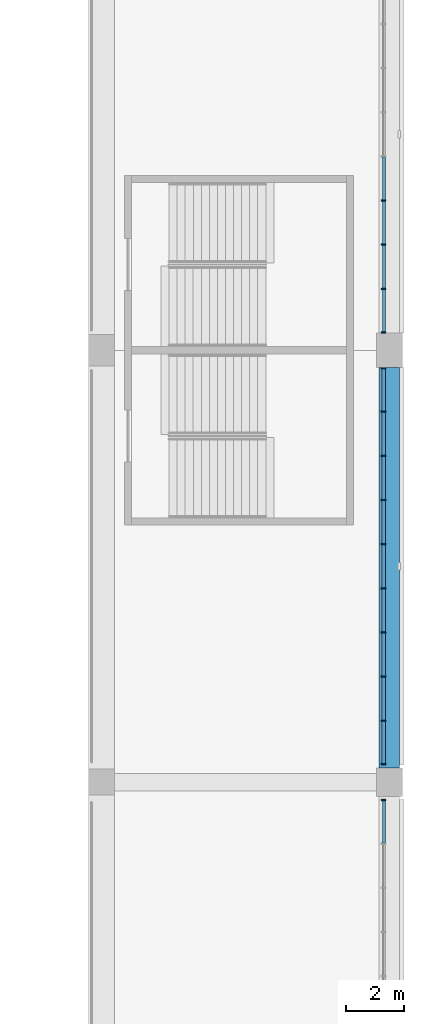
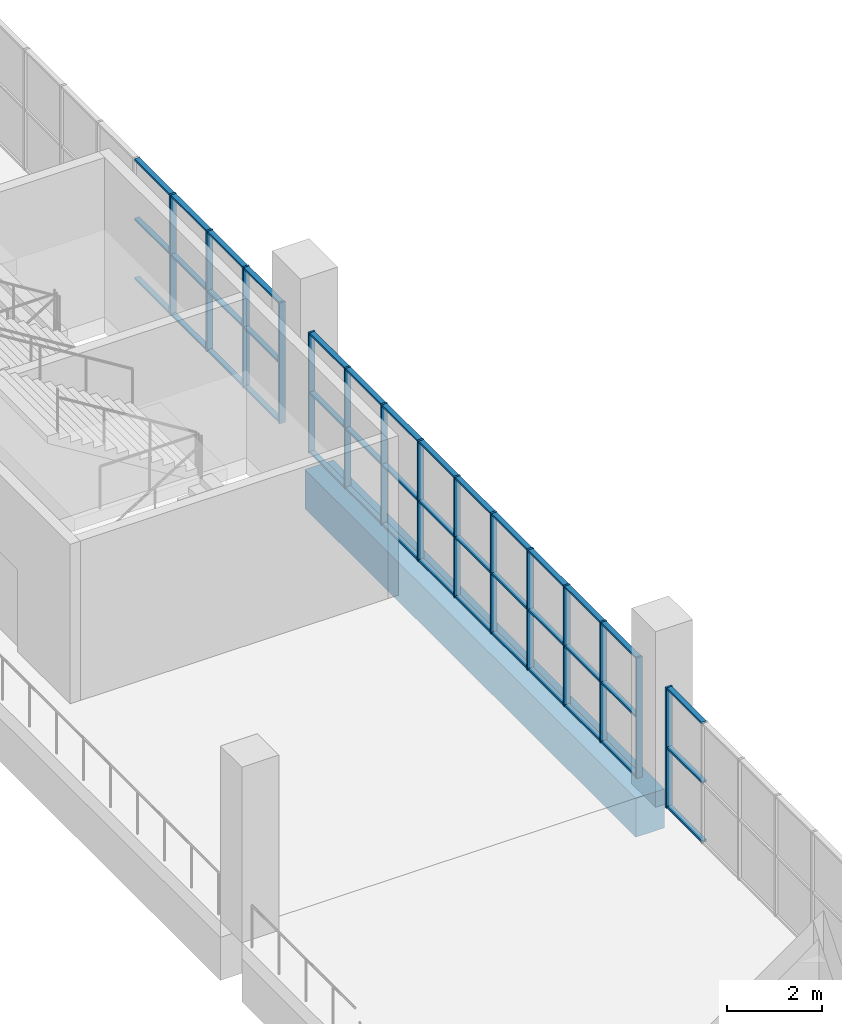
# One storey, part 23 of 177: 57 members, 1 beam, 3 elements without a shape of their own.
"""IFC4 building model written with IfcOpenShell, lengths in metres."""

from ifc_helpers import new_model, si_unit, direction, frame, origin, origin_2d, place, context, subcontext, project, spatial, rectangle, extrude, material, material_profile, profile_set, type_object, element, aggregate, save


model = new_model("IFC4")

# Units and contexts
model_context = context("Model", 3, precision=1e-05, world=origin(), true_north=direction((0.0, 1.0)))
body_context = subcontext(model_context, "Body", "Model", "MODEL_VIEW")
ifc_project = project(units=[si_unit("LENGTHUNIT", "METRE"), si_unit("AREAUNIT", "SQUARE_METRE"), si_unit("VOLUMEUNIT", "CUBIC_METRE"), si_unit("PLANEANGLEUNIT", "RADIAN"), si_unit("MASSUNIT", "GRAM", prefix="KILO")], contexts=[model_context])

# Site, building, storey
site_placement = place(None, origin())
site = spatial("IfcSite", under=ifc_project, at=site_placement, CompositionType="ELEMENT")
building_placement = place(site_placement, origin())
building = spatial("IfcBuilding", under=site, at=building_placement, Name="Ogive Plaza Stadium", CompositionType="ELEMENT")
storey_placement = place(building_placement, frame((0.0, 0.0, 18.0)))
storey = spatial("IfcBuildingStorey", under=building, at=storey_placement, Name="L04", CompositionType="ELEMENT", Elevation=18.0)

# Curtain wall, members
ifc_material_1 = material(Name="Bronze-anodised aluminium with laminated glass", Category="aluminium")
curtain_wall_type = type_object("IfcCurtainWallType", Name="Lancet curtain wall", PredefinedType="NOTDEFINED", material=ifc_material_1)
curtain_wall_1_placement = place(storey_placement, origin())
curtain_wall_1 = element("IfcCurtainWall", 1, at=curtain_wall_1_placement, inside=storey, type_object=curtain_wall_type, Name="CURTAIN WALL B05 L04", PredefinedType="NOTDEFINED")
ifc_material_2 = material(Name="Bronze-anodised aluminium", Category="aluminium")
ifc_material_profile_1 = material_profile(ifc_material_2, rectangle(XDim=0.14990234375, YDim=0.050048828125, at=origin_2d()), Name="AL 150x50")
ifc_profile_set_1 = profile_set([ifc_material_profile_1], Name="Bronze-anodised aluminium")
member_type_1 = type_object("IfcMemberType", Name="Curtain wall mullion 50x150", PredefinedType="MULLION", material=ifc_profile_set_1)
member_1_placement = place(storey_placement, frame((83.800048828125, -17.300048828125, 0.0), z_axis=(0.0, 0.0, 1.0), x_axis=(1.0, 0.0, 0.0)))
member_1 = element("IfcMember", 2, at=member_1_placement, type_object=member_type_1, Name="CW-B05-L04 mullion 7", PredefinedType="MULLION", context=body_context, shape_type="SweptSolid", body=[
    extrude(rectangle(XDim=0.14990234375, YDim=0.050048828125, at=origin_2d()), origin(), (0.0, 0.0, 1.0), 3.090087890625),
])
member_2_placement = place(storey_placement, frame((83.800048828125, -18.833251953125, 0.0), z_axis=(0.0, 0.0, 1.0), x_axis=(1.0, 0.0, 0.0)))
member_2 = element("IfcMember", 3, at=member_2_placement, type_object=member_type_1, Name="CW-B05-L04 mullion 8", PredefinedType="MULLION", context=body_context, shape_type="SweptSolid", body=[
    extrude(rectangle(XDim=0.14990234375, YDim=0.050048828125, at=origin_2d()), origin(), (0.0, 0.0, 1.0), 3.090087890625),
])
member_3_placement = place(storey_placement, frame((83.800048828125, -20.36669921875, 0.0), z_axis=(0.0, 0.0, 1.0), x_axis=(1.0, 0.0, 0.0)))
member_3 = element("IfcMember", 4, at=member_3_placement, type_object=member_type_1, Name="CW-B05-L04 mullion 9", PredefinedType="MULLION", context=body_context, shape_type="SweptSolid", body=[
    extrude(rectangle(XDim=0.14990234375, YDim=0.050048828125, at=origin_2d()), origin(), (0.0, 0.0, 1.0), 3.090087890625),
])
member_4_placement = place(storey_placement, frame((83.800048828125, -21.875, 0.0), z_axis=(0.0, 0.0, 1.0), x_axis=(1.0, 0.0, 0.0)))
member_4 = element("IfcMember", 5, at=member_4_placement, type_object=member_type_1, Name="CW-B05-L04 mullion 10", PredefinedType="MULLION", context=body_context, shape_type="SweptSolid", body=[
    extrude(rectangle(XDim=0.14990234375, YDim=0.050048828125, at=origin_2d()), origin(), (0.0, 0.0, 1.0), 3.090087890625),
])

curtain_wall_2_placement = place(storey_placement, origin())
curtain_wall_2 = element("IfcCurtainWall", 6, at=curtain_wall_2_placement, inside=storey, type_object=curtain_wall_type, Name="CURTAIN WALL B06 L04", PredefinedType="NOTDEFINED")
member_5_placement = place(storey_placement, frame((83.800048828125, -23.125, 0.0), z_axis=(0.0, 0.0, 1.0), x_axis=(1.0, 0.0, 0.0)))
member_5 = element("IfcMember", 7, at=member_5_placement, type_object=member_type_1, Name="CW-B06-L04 mullion 1", PredefinedType="MULLION", context=body_context, shape_type="SweptSolid", body=[
    extrude(rectangle(XDim=0.14990234375, YDim=0.050048828125, at=origin_2d()), origin(), (0.0, 0.0, 1.0), 3.090087890625),
])
member_6_placement = place(storey_placement, frame((83.800048828125, -24.63330078125, 0.0), z_axis=(0.0, 0.0, 1.0), x_axis=(1.0, 0.0, 0.0)))
member_6 = element("IfcMember", 8, at=member_6_placement, type_object=member_type_1, Name="CW-B06-L04 mullion 2", PredefinedType="MULLION", context=body_context, shape_type="SweptSolid", body=[
    extrude(rectangle(XDim=0.14990234375, YDim=0.050048828125, at=origin_2d()), origin(), (0.0, 0.0, 1.0), 3.090087890625),
])
member_7_placement = place(storey_placement, frame((83.800048828125, -26.166748046875, 0.0), z_axis=(0.0, 0.0, 1.0), x_axis=(1.0, 0.0, 0.0)))
member_7 = element("IfcMember", 9, at=member_7_placement, type_object=member_type_1, Name="CW-B06-L04 mullion 3", PredefinedType="MULLION", context=body_context, shape_type="SweptSolid", body=[
    extrude(rectangle(XDim=0.14990234375, YDim=0.050048828125, at=origin_2d()), origin(), (0.0, 0.0, 1.0), 3.090087890625),
])
member_8_placement = place(storey_placement, frame((83.800048828125, -27.699951171875, 0.0), z_axis=(0.0, 0.0, 1.0), x_axis=(1.0, 0.0, 0.0)))
member_8 = element("IfcMember", 10, at=member_8_placement, type_object=member_type_1, Name="CW-B06-L04 mullion 4", PredefinedType="MULLION", context=body_context, shape_type="SweptSolid", body=[
    extrude(rectangle(XDim=0.14990234375, YDim=0.050048828125, at=origin_2d()), origin(), (0.0, 0.0, 1.0), 3.090087890625),
])
member_9_placement = place(storey_placement, frame((83.800048828125, -29.2333984375, 0.0), z_axis=(0.0, 0.0, 1.0), x_axis=(1.0, 0.0, 0.0)))
member_9 = element("IfcMember", 11, at=member_9_placement, type_object=member_type_1, Name="CW-B06-L04 mullion 5", PredefinedType="MULLION", context=body_context, shape_type="SweptSolid", body=[
    extrude(rectangle(XDim=0.14990234375, YDim=0.050048828125, at=origin_2d()), origin(), (0.0, 0.0, 1.0), 3.090087890625),
])
member_10_placement = place(storey_placement, frame((83.800048828125, -30.7666015625, 0.0), z_axis=(0.0, 0.0, 1.0), x_axis=(1.0, 0.0, 0.0)))
member_10 = element("IfcMember", 12, at=member_10_placement, type_object=member_type_1, Name="CW-B06-L04 mullion 6", PredefinedType="MULLION", context=body_context, shape_type="SweptSolid", body=[
    extrude(rectangle(XDim=0.14990234375, YDim=0.050048828125, at=origin_2d()), origin(), (0.0, 0.0, 1.0), 3.090087890625),
])
member_11_placement = place(storey_placement, frame((83.800048828125, -32.300048828125, 0.0), z_axis=(0.0, 0.0, 1.0), x_axis=(1.0, 0.0, 0.0)))
member_11 = element("IfcMember", 13, at=member_11_placement, type_object=member_type_1, Name="CW-B06-L04 mullion 7", PredefinedType="MULLION", context=body_context, shape_type="SweptSolid", body=[
    extrude(rectangle(XDim=0.14990234375, YDim=0.050048828125, at=origin_2d()), origin(), (0.0, 0.0, 1.0), 3.090087890625),
])
member_12_placement = place(storey_placement, frame((83.800048828125, -33.833251953125, 0.0), z_axis=(0.0, 0.0, 1.0), x_axis=(1.0, 0.0, 0.0)))
member_12 = element("IfcMember", 14, at=member_12_placement, type_object=member_type_1, Name="CW-B06-L04 mullion 8", PredefinedType="MULLION", context=body_context, shape_type="SweptSolid", body=[
    extrude(rectangle(XDim=0.14990234375, YDim=0.050048828125, at=origin_2d()), origin(), (0.0, 0.0, 1.0), 3.090087890625),
])
member_13_placement = place(storey_placement, frame((83.800048828125, -35.36669921875, 0.0), z_axis=(0.0, 0.0, 1.0), x_axis=(1.0, 0.0, 0.0)))
member_13 = element("IfcMember", 15, at=member_13_placement, type_object=member_type_1, Name="CW-B06-L04 mullion 9", PredefinedType="MULLION", context=body_context, shape_type="SweptSolid", body=[
    extrude(rectangle(XDim=0.14990234375, YDim=0.050048828125, at=origin_2d()), origin(), (0.0, 0.0, 1.0), 3.090087890625),
])
member_14_placement = place(storey_placement, frame((83.800048828125, -36.875, 0.0), z_axis=(0.0, 0.0, 1.0), x_axis=(1.0, 0.0, 0.0)))
member_14 = element("IfcMember", 16, at=member_14_placement, type_object=member_type_1, Name="CW-B06-L04 mullion 10", PredefinedType="MULLION", context=body_context, shape_type="SweptSolid", body=[
    extrude(rectangle(XDim=0.14990234375, YDim=0.050048828125, at=origin_2d()), origin(), (0.0, 0.0, 1.0), 3.090087890625),
])

# Curtain wall, member
curtain_wall_3_placement = place(storey_placement, origin())
curtain_wall_3 = element("IfcCurtainWall", 17, at=curtain_wall_3_placement, inside=storey, type_object=curtain_wall_type, Name="CURTAIN WALL B07 L04", PredefinedType="NOTDEFINED")
member_15_placement = place(storey_placement, frame((83.800048828125, -38.125, 0.0), z_axis=(0.0, 0.0, 1.0), x_axis=(1.0, 0.0, 0.0)))
member_15 = element("IfcMember", 18, at=member_15_placement, type_object=member_type_1, Name="CW-B07-L04 mullion 1", PredefinedType="MULLION", context=body_context, shape_type="SweptSolid", body=[
    extrude(rectangle(XDim=0.14990234375, YDim=0.050048828125, at=origin_2d()), origin(), (0.0, 0.0, 1.0), 3.090087890625),
])

# Member
ifc_material_3 = material(Name="Bronze-anodised aluminium", Category="aluminium")
ifc_material_profile_2 = material_profile(ifc_material_3, rectangle(XDim=0.1201171875, YDim=0.050048828125, at=origin_2d()), Name="AL 120x50")
ifc_profile_set_2 = profile_set([ifc_material_profile_2], Name="Bronze-anodised aluminium")
member_type_2 = type_object("IfcMemberType", Name="Curtain wall transom 50x120", PredefinedType="USERDEFINED", material=ifc_profile_set_2)
member_16_placement = place(storey_placement, frame((83.800048828125, -15.791748046875, 0.02490234375), z_axis=(0.0, -1.0, 0.0), x_axis=(1.0, 0.0, 0.0)))
member_16 = element("IfcMember", 19, at=member_16_placement, type_object=member_type_2, Name="CW-B05-L04 transom 6.1", ObjectType="TRANSOM", PredefinedType="USERDEFINED", context=body_context, shape_type="SweptSolid", body=[
    extrude(rectangle(XDim=0.1201171875, YDim=0.050048828125, at=origin_2d()), origin(), (0.0, 0.0, 1.0), 1.483154296875),
])

member_17_placement = place(storey_placement, frame((83.800048828125, -15.791748046875, 1.544921875), z_axis=(0.0, -1.0, 0.0), x_axis=(1.0, 0.0, 0.0)))
member_17 = element("IfcMember", 20, at=member_17_placement, type_object=member_type_2, Name="CW-B05-L04 transom 6.2", ObjectType="TRANSOM", PredefinedType="USERDEFINED", context=body_context, shape_type="SweptSolid", body=[
    extrude(rectangle(XDim=0.1201171875, YDim=0.050048828125, at=origin_2d()), origin(), (0.0, 0.0, 1.0), 1.483154296875),
])

member_18_placement = place(storey_placement, frame((83.800048828125, -15.791748046875, 3.06494140625), z_axis=(0.0, -1.0, 0.0), x_axis=(1.0, 0.0, 0.0)))
member_18 = element("IfcMember", 21, at=member_18_placement, type_object=member_type_2, Name="CW-B05-L04 transom 6.3", ObjectType="TRANSOM", PredefinedType="USERDEFINED", context=body_context, shape_type="SweptSolid", body=[
    extrude(rectangle(XDim=0.1201171875, YDim=0.050048828125, at=origin_2d()), origin(), (0.0, 0.0, 1.0), 1.483154296875),
])

member_19_placement = place(storey_placement, frame((83.800048828125, -17.324951171875, 0.02490234375), z_axis=(0.0, -1.0, 0.0), x_axis=(1.0, 0.0, 0.0)))
member_19 = element("IfcMember", 22, at=member_19_placement, type_object=member_type_2, Name="CW-B05-L04 transom 7.1", ObjectType="TRANSOM", PredefinedType="USERDEFINED", context=body_context, shape_type="SweptSolid", body=[
    extrude(rectangle(XDim=0.1201171875, YDim=0.050048828125, at=origin_2d()), origin(), (0.0, 0.0, 1.0), 1.4833984375),
])

member_20_placement = place(storey_placement, frame((83.800048828125, -17.324951171875, 1.544921875), z_axis=(0.0, -1.0, 0.0), x_axis=(1.0, 0.0, 0.0)))
member_20 = element("IfcMember", 23, at=member_20_placement, type_object=member_type_2, Name="CW-B05-L04 transom 7.2", ObjectType="TRANSOM", PredefinedType="USERDEFINED", context=body_context, shape_type="SweptSolid", body=[
    extrude(rectangle(XDim=0.1201171875, YDim=0.050048828125, at=origin_2d()), origin(), (0.0, 0.0, 1.0), 1.4833984375),
])

member_21_placement = place(storey_placement, frame((83.800048828125, -17.324951171875, 3.06494140625), z_axis=(0.0, -1.0, 0.0), x_axis=(1.0, 0.0, 0.0)))
member_21 = element("IfcMember", 24, at=member_21_placement, type_object=member_type_2, Name="CW-B05-L04 transom 7.3", ObjectType="TRANSOM", PredefinedType="USERDEFINED", context=body_context, shape_type="SweptSolid", body=[
    extrude(rectangle(XDim=0.1201171875, YDim=0.050048828125, at=origin_2d()), origin(), (0.0, 0.0, 1.0), 1.4833984375),
])

member_22_placement = place(storey_placement, frame((83.800048828125, -18.8583984375, 0.02490234375), z_axis=(0.0, -1.0, 0.0), x_axis=(1.0, 0.0, 0.0)))
member_22 = element("IfcMember", 25, at=member_22_placement, type_object=member_type_2, Name="CW-B05-L04 transom 8.1", ObjectType="TRANSOM", PredefinedType="USERDEFINED", context=body_context, shape_type="SweptSolid", body=[
    extrude(rectangle(XDim=0.1201171875, YDim=0.050048828125, at=origin_2d()), origin(), (0.0, 0.0, 1.0), 1.483154296875),
])

member_23_placement = place(storey_placement, frame((83.800048828125, -18.8583984375, 1.544921875), z_axis=(0.0, -1.0, 0.0), x_axis=(1.0, 0.0, 0.0)))
member_23 = element("IfcMember", 26, at=member_23_placement, type_object=member_type_2, Name="CW-B05-L04 transom 8.2", ObjectType="TRANSOM", PredefinedType="USERDEFINED", context=body_context, shape_type="SweptSolid", body=[
    extrude(rectangle(XDim=0.1201171875, YDim=0.050048828125, at=origin_2d()), origin(), (0.0, 0.0, 1.0), 1.483154296875),
])

member_24_placement = place(storey_placement, frame((83.800048828125, -18.8583984375, 3.06494140625), z_axis=(0.0, -1.0, 0.0), x_axis=(1.0, 0.0, 0.0)))
member_24 = element("IfcMember", 27, at=member_24_placement, type_object=member_type_2, Name="CW-B05-L04 transom 8.3", ObjectType="TRANSOM", PredefinedType="USERDEFINED", context=body_context, shape_type="SweptSolid", body=[
    extrude(rectangle(XDim=0.1201171875, YDim=0.050048828125, at=origin_2d()), origin(), (0.0, 0.0, 1.0), 1.483154296875),
])

member_25_placement = place(storey_placement, frame((83.800048828125, -20.3916015625, 0.02490234375), z_axis=(0.0, -1.0, 0.0), x_axis=(1.0, 0.0, 0.0)))
member_25 = element("IfcMember", 28, at=member_25_placement, type_object=member_type_2, Name="CW-B05-L04 transom 9.1", ObjectType="TRANSOM", PredefinedType="USERDEFINED", context=body_context, shape_type="SweptSolid", body=[
    extrude(rectangle(XDim=0.1201171875, YDim=0.050048828125, at=origin_2d()), origin(), (0.0, 0.0, 1.0), 1.45849609375),
])

member_26_placement = place(storey_placement, frame((83.800048828125, -20.3916015625, 1.544921875), z_axis=(0.0, -1.0, 0.0), x_axis=(1.0, 0.0, 0.0)))
member_26 = element("IfcMember", 29, at=member_26_placement, type_object=member_type_2, Name="CW-B05-L04 transom 9.2", ObjectType="TRANSOM", PredefinedType="USERDEFINED", context=body_context, shape_type="SweptSolid", body=[
    extrude(rectangle(XDim=0.1201171875, YDim=0.050048828125, at=origin_2d()), origin(), (0.0, 0.0, 1.0), 1.45849609375),
])

member_27_placement = place(storey_placement, frame((83.800048828125, -20.3916015625, 3.06494140625), z_axis=(0.0, -1.0, 0.0), x_axis=(1.0, 0.0, 0.0)))
member_27 = element("IfcMember", 30, at=member_27_placement, type_object=member_type_2, Name="CW-B05-L04 transom 9.3", ObjectType="TRANSOM", PredefinedType="USERDEFINED", context=body_context, shape_type="SweptSolid", body=[
    extrude(rectangle(XDim=0.1201171875, YDim=0.050048828125, at=origin_2d()), origin(), (0.0, 0.0, 1.0), 1.45849609375),
])

aggregate(curtain_wall_1, [member_1, member_2, member_3, member_4, member_16, member_17, member_18, member_19, member_20, member_21, member_22, member_23, member_24, member_25, member_26, member_27])

member_28_placement = place(storey_placement, frame((83.800048828125, -23.14990234375, 0.02490234375), z_axis=(0.0, -1.0, 0.0), x_axis=(1.0, 0.0, 0.0)))
member_28 = element("IfcMember", 31, at=member_28_placement, type_object=member_type_2, Name="CW-B06-L04 transom 1.1", ObjectType="TRANSOM", PredefinedType="USERDEFINED", context=body_context, shape_type="SweptSolid", body=[
    extrude(rectangle(XDim=0.1201171875, YDim=0.050048828125, at=origin_2d()), origin(), (0.0, 0.0, 1.0), 1.45849609375),
])

member_29_placement = place(storey_placement, frame((83.800048828125, -23.14990234375, 1.544921875), z_axis=(0.0, -1.0, 0.0), x_axis=(1.0, 0.0, 0.0)))
member_29 = element("IfcMember", 32, at=member_29_placement, type_object=member_type_2, Name="CW-B06-L04 transom 1.2", ObjectType="TRANSOM", PredefinedType="USERDEFINED", context=body_context, shape_type="SweptSolid", body=[
    extrude(rectangle(XDim=0.1201171875, YDim=0.050048828125, at=origin_2d()), origin(), (0.0, 0.0, 1.0), 1.45849609375),
])

member_30_placement = place(storey_placement, frame((83.800048828125, -23.14990234375, 3.06494140625), z_axis=(0.0, -1.0, 0.0), x_axis=(1.0, 0.0, 0.0)))
member_30 = element("IfcMember", 33, at=member_30_placement, type_object=member_type_2, Name="CW-B06-L04 transom 1.3", ObjectType="TRANSOM", PredefinedType="USERDEFINED", context=body_context, shape_type="SweptSolid", body=[
    extrude(rectangle(XDim=0.1201171875, YDim=0.050048828125, at=origin_2d()), origin(), (0.0, 0.0, 1.0), 1.45849609375),
])

member_31_placement = place(storey_placement, frame((83.800048828125, -24.658447265625, 0.02490234375), z_axis=(0.0, -1.0, 0.0), x_axis=(1.0, 0.0, 0.0)))
member_31 = element("IfcMember", 34, at=member_31_placement, type_object=member_type_2, Name="CW-B06-L04 transom 2.1", ObjectType="TRANSOM", PredefinedType="USERDEFINED", context=body_context, shape_type="SweptSolid", body=[
    extrude(rectangle(XDim=0.1201171875, YDim=0.050048828125, at=origin_2d()), origin(), (0.0, 0.0, 1.0), 1.483154296875),
])

member_32_placement = place(storey_placement, frame((83.800048828125, -24.658447265625, 1.544921875), z_axis=(0.0, -1.0, 0.0), x_axis=(1.0, 0.0, 0.0)))
member_32 = element("IfcMember", 35, at=member_32_placement, type_object=member_type_2, Name="CW-B06-L04 transom 2.2", ObjectType="TRANSOM", PredefinedType="USERDEFINED", context=body_context, shape_type="SweptSolid", body=[
    extrude(rectangle(XDim=0.1201171875, YDim=0.050048828125, at=origin_2d()), origin(), (0.0, 0.0, 1.0), 1.483154296875),
])

member_33_placement = place(storey_placement, frame((83.800048828125, -24.658447265625, 3.06494140625), z_axis=(0.0, -1.0, 0.0), x_axis=(1.0, 0.0, 0.0)))
member_33 = element("IfcMember", 36, at=member_33_placement, type_object=member_type_2, Name="CW-B06-L04 transom 2.3", ObjectType="TRANSOM", PredefinedType="USERDEFINED", context=body_context, shape_type="SweptSolid", body=[
    extrude(rectangle(XDim=0.1201171875, YDim=0.050048828125, at=origin_2d()), origin(), (0.0, 0.0, 1.0), 1.483154296875),
])

member_34_placement = place(storey_placement, frame((83.800048828125, -26.191650390625, 0.02490234375), z_axis=(0.0, -1.0, 0.0), x_axis=(1.0, 0.0, 0.0)))
member_34 = element("IfcMember", 37, at=member_34_placement, type_object=member_type_2, Name="CW-B06-L04 transom 3.1", ObjectType="TRANSOM", PredefinedType="USERDEFINED", context=body_context, shape_type="SweptSolid", body=[
    extrude(rectangle(XDim=0.1201171875, YDim=0.050048828125, at=origin_2d()), origin(), (0.0, 0.0, 1.0), 1.4833984375),
])

member_35_placement = place(storey_placement, frame((83.800048828125, -26.191650390625, 1.544921875), z_axis=(0.0, -1.0, 0.0), x_axis=(1.0, 0.0, 0.0)))
member_35 = element("IfcMember", 38, at=member_35_placement, type_object=member_type_2, Name="CW-B06-L04 transom 3.2", ObjectType="TRANSOM", PredefinedType="USERDEFINED", context=body_context, shape_type="SweptSolid", body=[
    extrude(rectangle(XDim=0.1201171875, YDim=0.050048828125, at=origin_2d()), origin(), (0.0, 0.0, 1.0), 1.4833984375),
])

member_36_placement = place(storey_placement, frame((83.800048828125, -26.191650390625, 3.06494140625), z_axis=(0.0, -1.0, 0.0), x_axis=(1.0, 0.0, 0.0)))
member_36 = element("IfcMember", 39, at=member_36_placement, type_object=member_type_2, Name="CW-B06-L04 transom 3.3", ObjectType="TRANSOM", PredefinedType="USERDEFINED", context=body_context, shape_type="SweptSolid", body=[
    extrude(rectangle(XDim=0.1201171875, YDim=0.050048828125, at=origin_2d()), origin(), (0.0, 0.0, 1.0), 1.4833984375),
])

member_37_placement = place(storey_placement, frame((83.800048828125, -27.72509765625, 0.02490234375), z_axis=(0.0, -1.0, 0.0), x_axis=(1.0, 0.0, 0.0)))
member_37 = element("IfcMember", 40, at=member_37_placement, type_object=member_type_2, Name="CW-B06-L04 transom 4.1", ObjectType="TRANSOM", PredefinedType="USERDEFINED", context=body_context, shape_type="SweptSolid", body=[
    extrude(rectangle(XDim=0.1201171875, YDim=0.050048828125, at=origin_2d()), origin(), (0.0, 0.0, 1.0), 1.483154296875),
])

member_38_placement = place(storey_placement, frame((83.800048828125, -27.72509765625, 1.544921875), z_axis=(0.0, -1.0, 0.0), x_axis=(1.0, 0.0, 0.0)))
member_38 = element("IfcMember", 41, at=member_38_placement, type_object=member_type_2, Name="CW-B06-L04 transom 4.2", ObjectType="TRANSOM", PredefinedType="USERDEFINED", context=body_context, shape_type="SweptSolid", body=[
    extrude(rectangle(XDim=0.1201171875, YDim=0.050048828125, at=origin_2d()), origin(), (0.0, 0.0, 1.0), 1.483154296875),
])

member_39_placement = place(storey_placement, frame((83.800048828125, -27.72509765625, 3.06494140625), z_axis=(0.0, -1.0, 0.0), x_axis=(1.0, 0.0, 0.0)))
member_39 = element("IfcMember", 42, at=member_39_placement, type_object=member_type_2, Name="CW-B06-L04 transom 4.3", ObjectType="TRANSOM", PredefinedType="USERDEFINED", context=body_context, shape_type="SweptSolid", body=[
    extrude(rectangle(XDim=0.1201171875, YDim=0.050048828125, at=origin_2d()), origin(), (0.0, 0.0, 1.0), 1.483154296875),
])

member_40_placement = place(storey_placement, frame((83.800048828125, -29.25830078125, 0.02490234375), z_axis=(0.0, -1.0, 0.0), x_axis=(1.0, 0.0, 0.0)))
member_40 = element("IfcMember", 43, at=member_40_placement, type_object=member_type_2, Name="CW-B06-L04 transom 5.1", ObjectType="TRANSOM", PredefinedType="USERDEFINED", context=body_context, shape_type="SweptSolid", body=[
    extrude(rectangle(XDim=0.1201171875, YDim=0.050048828125, at=origin_2d()), origin(), (0.0, 0.0, 1.0), 1.4833984375),
])

member_41_placement = place(storey_placement, frame((83.800048828125, -29.25830078125, 1.544921875), z_axis=(0.0, -1.0, 0.0), x_axis=(1.0, 0.0, 0.0)))
member_41 = element("IfcMember", 44, at=member_41_placement, type_object=member_type_2, Name="CW-B06-L04 transom 5.2", ObjectType="TRANSOM", PredefinedType="USERDEFINED", context=body_context, shape_type="SweptSolid", body=[
    extrude(rectangle(XDim=0.1201171875, YDim=0.050048828125, at=origin_2d()), origin(), (0.0, 0.0, 1.0), 1.4833984375),
])

member_42_placement = place(storey_placement, frame((83.800048828125, -29.25830078125, 3.06494140625), z_axis=(0.0, -1.0, 0.0), x_axis=(1.0, 0.0, 0.0)))
member_42 = element("IfcMember", 45, at=member_42_placement, type_object=member_type_2, Name="CW-B06-L04 transom 5.3", ObjectType="TRANSOM", PredefinedType="USERDEFINED", context=body_context, shape_type="SweptSolid", body=[
    extrude(rectangle(XDim=0.1201171875, YDim=0.050048828125, at=origin_2d()), origin(), (0.0, 0.0, 1.0), 1.4833984375),
])

member_43_placement = place(storey_placement, frame((83.800048828125, -30.791748046875, 0.02490234375), z_axis=(0.0, -1.0, 0.0), x_axis=(1.0, 0.0, 0.0)))
member_43 = element("IfcMember", 46, at=member_43_placement, type_object=member_type_2, Name="CW-B06-L04 transom 6.1", ObjectType="TRANSOM", PredefinedType="USERDEFINED", context=body_context, shape_type="SweptSolid", body=[
    extrude(rectangle(XDim=0.1201171875, YDim=0.050048828125, at=origin_2d()), origin(), (0.0, 0.0, 1.0), 1.483154296875),
])

member_44_placement = place(storey_placement, frame((83.800048828125, -30.791748046875, 1.544921875), z_axis=(0.0, -1.0, 0.0), x_axis=(1.0, 0.0, 0.0)))
member_44 = element("IfcMember", 47, at=member_44_placement, type_object=member_type_2, Name="CW-B06-L04 transom 6.2", ObjectType="TRANSOM", PredefinedType="USERDEFINED", context=body_context, shape_type="SweptSolid", body=[
    extrude(rectangle(XDim=0.1201171875, YDim=0.050048828125, at=origin_2d()), origin(), (0.0, 0.0, 1.0), 1.483154296875),
])

member_45_placement = place(storey_placement, frame((83.800048828125, -30.791748046875, 3.06494140625), z_axis=(0.0, -1.0, 0.0), x_axis=(1.0, 0.0, 0.0)))
member_45 = element("IfcMember", 48, at=member_45_placement, type_object=member_type_2, Name="CW-B06-L04 transom 6.3", ObjectType="TRANSOM", PredefinedType="USERDEFINED", context=body_context, shape_type="SweptSolid", body=[
    extrude(rectangle(XDim=0.1201171875, YDim=0.050048828125, at=origin_2d()), origin(), (0.0, 0.0, 1.0), 1.483154296875),
])

member_46_placement = place(storey_placement, frame((83.800048828125, -32.324951171875, 0.02490234375), z_axis=(0.0, -1.0, 0.0), x_axis=(1.0, 0.0, 0.0)))
member_46 = element("IfcMember", 49, at=member_46_placement, type_object=member_type_2, Name="CW-B06-L04 transom 7.1", ObjectType="TRANSOM", PredefinedType="USERDEFINED", context=body_context, shape_type="SweptSolid", body=[
    extrude(rectangle(XDim=0.1201171875, YDim=0.050048828125, at=origin_2d()), origin(), (0.0, 0.0, 1.0), 1.4833984375),
])

member_47_placement = place(storey_placement, frame((83.800048828125, -32.324951171875, 1.544921875), z_axis=(0.0, -1.0, 0.0), x_axis=(1.0, 0.0, 0.0)))
member_47 = element("IfcMember", 50, at=member_47_placement, type_object=member_type_2, Name="CW-B06-L04 transom 7.2", ObjectType="TRANSOM", PredefinedType="USERDEFINED", context=body_context, shape_type="SweptSolid", body=[
    extrude(rectangle(XDim=0.1201171875, YDim=0.050048828125, at=origin_2d()), origin(), (0.0, 0.0, 1.0), 1.4833984375),
])

member_48_placement = place(storey_placement, frame((83.800048828125, -32.324951171875, 3.06494140625), z_axis=(0.0, -1.0, 0.0), x_axis=(1.0, 0.0, 0.0)))
member_48 = element("IfcMember", 51, at=member_48_placement, type_object=member_type_2, Name="CW-B06-L04 transom 7.3", ObjectType="TRANSOM", PredefinedType="USERDEFINED", context=body_context, shape_type="SweptSolid", body=[
    extrude(rectangle(XDim=0.1201171875, YDim=0.050048828125, at=origin_2d()), origin(), (0.0, 0.0, 1.0), 1.4833984375),
])

member_49_placement = place(storey_placement, frame((83.800048828125, -33.8583984375, 0.02490234375), z_axis=(0.0, -1.0, 0.0), x_axis=(1.0, 0.0, 0.0)))
member_49 = element("IfcMember", 52, at=member_49_placement, type_object=member_type_2, Name="CW-B06-L04 transom 8.1", ObjectType="TRANSOM", PredefinedType="USERDEFINED", context=body_context, shape_type="SweptSolid", body=[
    extrude(rectangle(XDim=0.1201171875, YDim=0.050048828125, at=origin_2d()), origin(), (0.0, 0.0, 1.0), 1.483154296875),
])

member_50_placement = place(storey_placement, frame((83.800048828125, -33.8583984375, 1.544921875), z_axis=(0.0, -1.0, 0.0), x_axis=(1.0, 0.0, 0.0)))
member_50 = element("IfcMember", 53, at=member_50_placement, type_object=member_type_2, Name="CW-B06-L04 transom 8.2", ObjectType="TRANSOM", PredefinedType="USERDEFINED", context=body_context, shape_type="SweptSolid", body=[
    extrude(rectangle(XDim=0.1201171875, YDim=0.050048828125, at=origin_2d()), origin(), (0.0, 0.0, 1.0), 1.483154296875),
])

member_51_placement = place(storey_placement, frame((83.800048828125, -33.8583984375, 3.06494140625), z_axis=(0.0, -1.0, 0.0), x_axis=(1.0, 0.0, 0.0)))
member_51 = element("IfcMember", 54, at=member_51_placement, type_object=member_type_2, Name="CW-B06-L04 transom 8.3", ObjectType="TRANSOM", PredefinedType="USERDEFINED", context=body_context, shape_type="SweptSolid", body=[
    extrude(rectangle(XDim=0.1201171875, YDim=0.050048828125, at=origin_2d()), origin(), (0.0, 0.0, 1.0), 1.483154296875),
])

member_52_placement = place(storey_placement, frame((83.800048828125, -35.3916015625, 0.02490234375), z_axis=(0.0, -1.0, 0.0), x_axis=(1.0, 0.0, 0.0)))
member_52 = element("IfcMember", 55, at=member_52_placement, type_object=member_type_2, Name="CW-B06-L04 transom 9.1", ObjectType="TRANSOM", PredefinedType="USERDEFINED", context=body_context, shape_type="SweptSolid", body=[
    extrude(rectangle(XDim=0.1201171875, YDim=0.050048828125, at=origin_2d()), origin(), (0.0, 0.0, 1.0), 1.45849609375),
])

member_53_placement = place(storey_placement, frame((83.800048828125, -35.3916015625, 1.544921875), z_axis=(0.0, -1.0, 0.0), x_axis=(1.0, 0.0, 0.0)))
member_53 = element("IfcMember", 56, at=member_53_placement, type_object=member_type_2, Name="CW-B06-L04 transom 9.2", ObjectType="TRANSOM", PredefinedType="USERDEFINED", context=body_context, shape_type="SweptSolid", body=[
    extrude(rectangle(XDim=0.1201171875, YDim=0.050048828125, at=origin_2d()), origin(), (0.0, 0.0, 1.0), 1.45849609375),
])

member_54_placement = place(storey_placement, frame((83.800048828125, -35.3916015625, 3.06494140625), z_axis=(0.0, -1.0, 0.0), x_axis=(1.0, 0.0, 0.0)))
member_54 = element("IfcMember", 57, at=member_54_placement, type_object=member_type_2, Name="CW-B06-L04 transom 9.3", ObjectType="TRANSOM", PredefinedType="USERDEFINED", context=body_context, shape_type="SweptSolid", body=[
    extrude(rectangle(XDim=0.1201171875, YDim=0.050048828125, at=origin_2d()), origin(), (0.0, 0.0, 1.0), 1.45849609375),
])

aggregate(curtain_wall_2, [member_5, member_6, member_7, member_8, member_9, member_10, member_11, member_12, member_13, member_14, member_28, member_29, member_30, member_31, member_32, member_33, member_34, member_35, member_36, member_37, member_38, member_39, member_40, member_41, member_42, member_43, member_44, member_45, member_46, member_47, member_48, member_49, member_50, member_51, member_52, member_53, member_54])

member_55_placement = place(storey_placement, frame((83.800048828125, -38.14990234375, 0.02490234375), z_axis=(0.0, -1.0, 0.0), x_axis=(1.0, 0.0, 0.0)))
member_55 = element("IfcMember", 58, at=member_55_placement, type_object=member_type_2, Name="CW-B07-L04 transom 1.1", ObjectType="TRANSOM", PredefinedType="USERDEFINED", context=body_context, shape_type="SweptSolid", body=[
    extrude(rectangle(XDim=0.1201171875, YDim=0.050048828125, at=origin_2d()), origin(), (0.0, 0.0, 1.0), 1.45849609375),
])

member_56_placement = place(storey_placement, frame((83.800048828125, -38.14990234375, 1.544921875), z_axis=(0.0, -1.0, 0.0), x_axis=(1.0, 0.0, 0.0)))
member_56 = element("IfcMember", 59, at=member_56_placement, type_object=member_type_2, Name="CW-B07-L04 transom 1.2", ObjectType="TRANSOM", PredefinedType="USERDEFINED", context=body_context, shape_type="SweptSolid", body=[
    extrude(rectangle(XDim=0.1201171875, YDim=0.050048828125, at=origin_2d()), origin(), (0.0, 0.0, 1.0), 1.45849609375),
])

member_57_placement = place(storey_placement, frame((83.800048828125, -38.14990234375, 3.06494140625), z_axis=(0.0, -1.0, 0.0), x_axis=(1.0, 0.0, 0.0)))
member_57 = element("IfcMember", 60, at=member_57_placement, type_object=member_type_2, Name="CW-B07-L04 transom 1.3", ObjectType="TRANSOM", PredefinedType="USERDEFINED", context=body_context, shape_type="SweptSolid", body=[
    extrude(rectangle(XDim=0.1201171875, YDim=0.050048828125, at=origin_2d()), origin(), (0.0, 0.0, 1.0), 1.45849609375),
])

aggregate(curtain_wall_3, [member_15, member_55, member_56, member_57])

# Beam
ifc_material_4 = material(Name="Concrete C40/50", Category="concrete")
ifc_material_profile_3 = material_profile(ifc_material_4, rectangle(XDim=0.699951171875, YDim=1.0, at=origin_2d()), Name="RC 700x1000")
ifc_profile_set_3 = profile_set([ifc_material_profile_3], Name="Concrete C40/50")
beam_type = type_object("IfcBeamType", Name="RC spandrel beam 700x1000", PredefinedType="SPANDREL", material=ifc_profile_set_3)
beam_placement = place(storey_placement, frame((84.0, -23.10009765625, -0.909912109375), z_axis=(0.0, -1.0, 0.0), x_axis=(1.0, 0.0, 0.0)))
element("IfcBeam", 61, at=beam_placement, inside=storey, type_object=beam_type, Name="Ring beam F5 L04 B06", PredefinedType="SPANDREL", context=body_context, shape_type="SweptSolid", body=[
    extrude(rectangle(XDim=0.699951171875, YDim=1.0, at=origin_2d()), origin(), (0.0, 0.0, 1.0), 13.89990234375),
])

save(model, "model.ifc")
